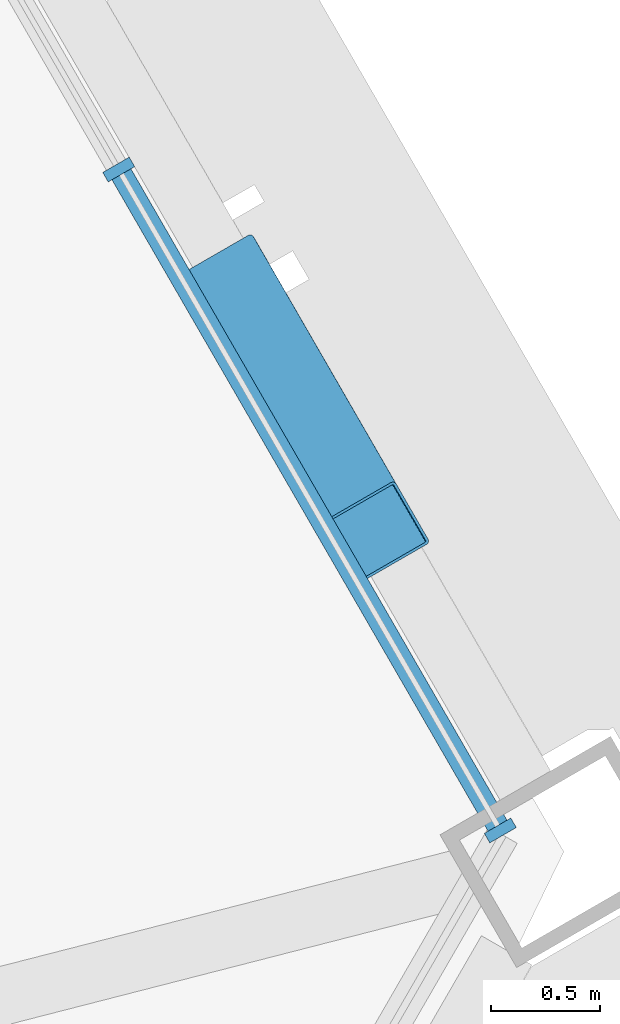
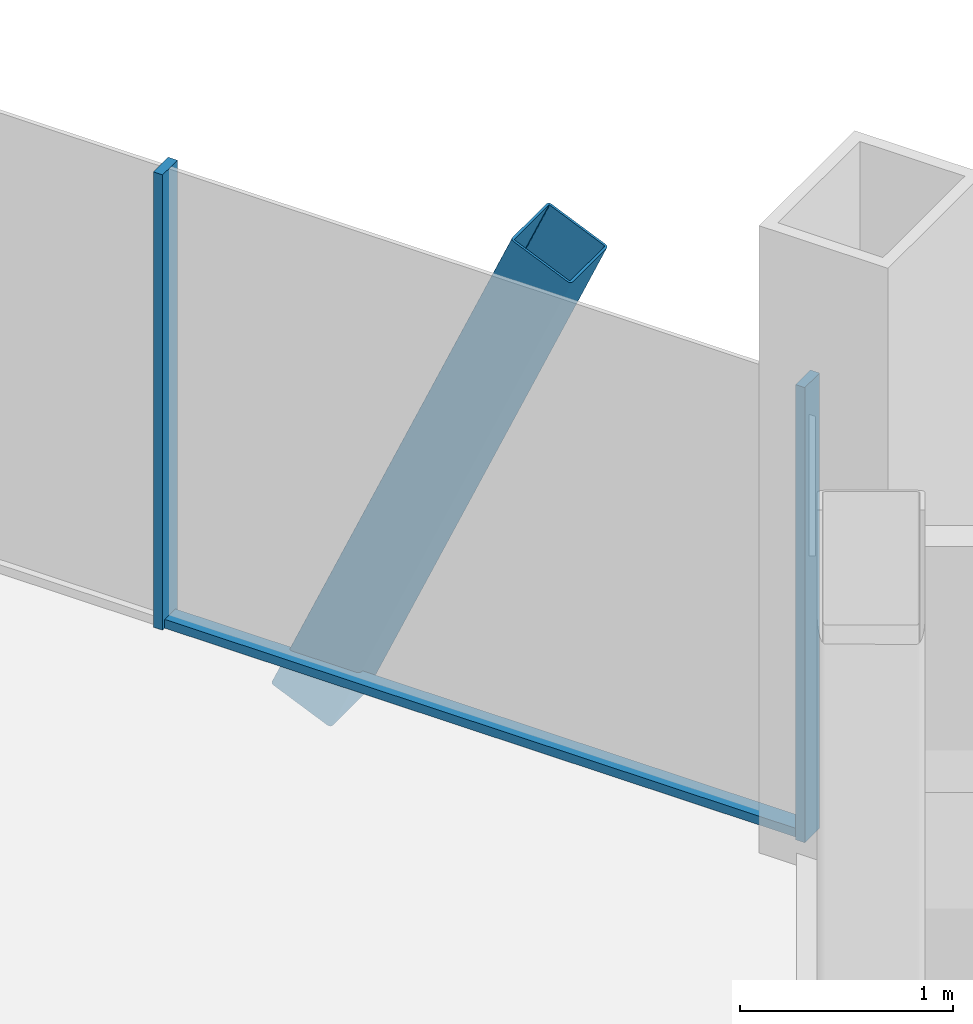
# One storey, part 8 of 18: 4 members, 1 element without a shape of its own.
"""IFC4 building model written with IfcOpenShell, lengths in metres."""

import ifcopenshell
import ifcopenshell.guid

model = None  # the IFC model being written
_history = None  # IfcOwnerHistory: only IFC2X3 demands one
_inside = {}  # id of a spatial element -> (the spatial element, [elements in it])
_under = {}  # id of a project, library or spatial element -> (it, [spatial elements below it])
_declared = {}  # id of a project -> (the project, [libraries it declares])
_typed = {}  # id of a type object -> (the type object, [elements of that type])
_made_of = {}  # id of a material, layer set ... -> (it, [elements and type objects made of it])


def new_model(schema):
    """Start an empty IFC model of exactly this schema.

    Asked for "IFC4X3", IfcOpenShell would pick the latest addendum, in which some entities
    have other attributes; the version numbers below select the first issue.
    IFC2X3 requires an IfcOwnerHistory on every rooted entity: one is made here for all.
    """
    global model, _history
    if schema == "IFC4X3":
        model = ifcopenshell.file(schema_version=(4, 3, 0, 0))
    else:
        model = ifcopenshell.file(schema=schema)
    _inside.clear()
    _under.clear()
    _declared.clear()
    _typed.clear()
    _made_of.clear()
    _history = None
    if model.schema == "IFC2X3":
        org = make("IfcOrganization", Name="unknown")
        user = make(
            "IfcPersonAndOrganization",
            ThePerson=make("IfcPerson", FamilyName="unknown"),
            TheOrganization=org,
        )
        app = make(
            "IfcApplication",
            ApplicationDeveloper=org,
            Version="unknown",
            ApplicationFullName="unknown",
            ApplicationIdentifier="unknown",
        )
        _history = make(
            "IfcOwnerHistory",
            OwningUser=user,
            OwningApplication=app,
            ChangeAction="ADDED",
            CreationDate=0,
        )
    return model


def make(cls, **values):
    """One entity of the class cls with the attributes given. An attribute that is None is left unset."""
    return model.create_entity(
        cls, **{name: value for name, value in values.items() if value is not None}
    )


def rooted(cls, **values):
    """An entity with a GlobalId (a new one), such as an element, a storey or a relation."""
    return make(cls, GlobalId=ifcopenshell.guid.new(), OwnerHistory=_history, **values)


def si_unit(unit_type, name, prefix=None):
    """IfcSIUnit, for example si_unit("LENGTHUNIT", "METRE", prefix="MILLI")."""
    return make("IfcSIUnit", UnitType=unit_type, Prefix=prefix, Name=name)


def assignment(units):
    """IfcUnitAssignment: the units of a project."""
    return None if units is None else make("IfcUnitAssignment", Units=units)


def point(xyz):
    """IfcCartesianPoint."""
    return None if xyz is None else make("IfcCartesianPoint", Coordinates=xyz)


def direction(xyz):
    """IfcDirection."""
    return None if xyz is None else make("IfcDirection", DirectionRatios=xyz)


def frame(location, z_axis=None, x_axis=None):
    """IfcAxis2Placement3D, a coordinate frame: its origin and axes. An axis left out is left unset."""
    return make(
        "IfcAxis2Placement3D",
        Location=point(location),
        Axis=direction(z_axis),
        RefDirection=direction(x_axis),
    )


def frame_2d(location, x_axis=None):
    """IfcAxis2Placement2D, a coordinate frame in the plane: its origin and x axis."""
    return make(
        "IfcAxis2Placement2D", Location=point(location), RefDirection=direction(x_axis)
    )


def origin():
    """The frame at (0, 0, 0) with its axes left unset."""
    return frame((0.0, 0.0, 0.0))


def origin_2d():
    """The frame at (0, 0) in the plane with its x axis left unset."""
    return frame_2d((0.0, 0.0))


def place(relative_to, where):
    """IfcLocalPlacement: puts the frame where relative to a parent placement (None: the world)."""
    return make(
        "IfcLocalPlacement", PlacementRelTo=relative_to, RelativePlacement=where
    )


def context(
    kind, dimensions, precision=None, world=None, true_north=None, identifier=None
):
    """IfcGeometricRepresentationContext, for example the 3D "Model" context."""
    return make(
        "IfcGeometricRepresentationContext",
        ContextIdentifier=identifier,
        ContextType=kind,
        CoordinateSpaceDimension=dimensions,
        Precision=precision,
        WorldCoordinateSystem=world,
        TrueNorth=true_north,
    )


def subcontext(parent, identifier, kind, view, scale=None):
    """IfcGeometricRepresentationSubContext, for example "Body" below "Model"."""
    return make(
        "IfcGeometricRepresentationSubContext",
        ContextIdentifier=identifier,
        ContextType=kind,
        ParentContext=parent,
        TargetScale=scale,
        TargetView=view,
    )


def project(units=None, contexts=None):
    """IfcProject with its units and contexts."""
    return rooted(
        "IfcProject",
        Name="project",
        RepresentationContexts=contexts,
        UnitsInContext=assignment(units),
    )


def spatial(cls, under=None, at=None, **own):
    """A site, building, storey or space (cls), placed at a placement, below another one or the project."""
    s = rooted(cls, ObjectPlacement=at, **own)
    if under is not None:
        _under.setdefault(under.id(), (under, []))[1].append(s)
    return s


def profile(cls, at=None, kind="AREA", **sizes):
    """A parametric profile (cls). Its sizes go by their IFC names, for example OverallWidth=200.0."""
    return make(cls, ProfileType=kind, Position=at, **sizes)


def rectangle(**sizes):
    """IfcRectangleProfileDef."""
    return profile("IfcRectangleProfileDef", **sizes)


def hollow_rectangle(**sizes):
    """IfcRectangleHollowProfileDef."""
    return profile("IfcRectangleHollowProfileDef", **sizes)


def extrude(swept, where, along, depth):
    """IfcExtrudedAreaSolid: the profile swept, set in the frame where, extruded along a direction by depth."""
    return make(
        "IfcExtrudedAreaSolid",
        SweptArea=swept,
        Position=where,
        ExtrudedDirection=direction(along),
        Depth=depth,
    )


def shape(context_of_items, identifier, shape_type, items):
    """IfcShapeRepresentation: the items that make up one representation, for example the "Body"."""
    return make(
        "IfcShapeRepresentation",
        ContextOfItems=context_of_items,
        RepresentationIdentifier=identifier,
        RepresentationType=shape_type,
        Items=items,
    )


def material(Name=None, Category=None):
    """IfcMaterial."""
    return make("IfcMaterial", Name=Name, Category=Category)


def material_profile(
    of_material, cross_section, Name=None, Category=None, Priority=None
):
    """IfcMaterialProfile: a cross section and its material."""
    return make(
        "IfcMaterialProfile",
        Name=Name,
        Material=of_material,
        Profile=cross_section,
        Priority=Priority,
        Category=Category,
    )


def profile_set(profiles, Name=None, composite=None):
    """IfcMaterialProfileSet."""
    return make(
        "IfcMaterialProfileSet",
        Name=Name,
        MaterialProfiles=profiles,
        CompositeProfile=composite,
    )


def made_of(thing, what):
    """Note that an element or type object is made of a material, layer set ...; save() writes the relation."""
    if what is not None:
        _made_of.setdefault(what.id(), (what, []))[1].append(thing)
    return thing


def type_object(cls, material=None, **own):
    """A type object (cls), such as IfcWallType, which elements share."""
    return made_of(rooted(cls, **own), material)


def element(
    cls,
    number,
    at=None,
    inside=None,
    cuts=None,
    type_object=None,
    material=None,
    context=None,
    identifier="Body",
    shape_type=None,
    held_by="IfcProductDefinitionShape",
    body=None,
    shapes=None,
    **own,
):
    """One element of the class cls, such as IfcWall. Its Tag is "e" and its number.

    at: its placement. inside: the storey or other place that contains it. cuts: it is an
    opening in that element (IfcRelVoidsElement). A single representation is given by context,
    identifier, shape_type and body (its items); several are given by shapes. held_by: the class
    of the entity that holds the representations. save() writes the other relations.
    """
    e = rooted(cls, Tag="e%d" % number, ObjectPlacement=at, **own)
    if body is not None:
        shapes = [shape(context, identifier, shape_type, body)]
    if shapes is not None:
        e.Representation = make(held_by, Representations=shapes)
    if inside is not None:
        _inside.setdefault(inside.id(), (inside, []))[1].append(e)
    if cuts is not None:
        rooted(
            "IfcRelVoidsElement", RelatingBuildingElement=cuts, RelatedOpeningElement=e
        )
    if type_object is not None:
        _typed.setdefault(type_object.id(), (type_object, []))[1].append(e)
    return made_of(e, material)


def aggregate(whole, parts):
    """IfcRelAggregates: a whole, such as a stair, and the parts it consists of."""
    return rooted("IfcRelAggregates", RelatingObject=whole, RelatedObjects=parts)


def save(model, path):
    """Write the relations noted so far, then the file.

    IfcRelAggregates (storeys below a building ...), IfcRelContainedInSpatialStructure (elements
    in a storey), IfcRelDefinesByType, IfcRelAssociatesMaterial and IfcRelDeclares: one each for
    every whole, place, type object, material and project.
    """
    for whole, parts in _under.values():
        aggregate(whole, parts)
    for where, things in _inside.values():
        rooted(
            "IfcRelContainedInSpatialStructure",
            RelatedElements=things,
            RelatingStructure=where,
        )
    for kind, things in _typed.values():
        rooted("IfcRelDefinesByType", RelatedObjects=things, RelatingType=kind)
    for what, things in _made_of.values():
        rooted("IfcRelAssociatesMaterial", RelatedObjects=things, RelatingMaterial=what)
    for by, libraries in _declared.values():
        rooted("IfcRelDeclares", RelatingContext=by, RelatedDefinitions=libraries)
    model.write(path)


model = new_model("IFC4")

# Units and contexts
model_context = context("Model", 3, precision=1e-05, world=origin(), true_north=direction((0.0, 1.0)))
body_context = subcontext(model_context, "Body", "Model", "MODEL_VIEW")
ifc_project = project(units=[si_unit("LENGTHUNIT", "METRE"), si_unit("AREAUNIT", "SQUARE_METRE"), si_unit("VOLUMEUNIT", "CUBIC_METRE"), si_unit("PLANEANGLEUNIT", "RADIAN"), si_unit("MASSUNIT", "GRAM", prefix="KILO")], contexts=[model_context])

# Site, building, storey
site_placement = place(None, origin())
site = spatial("IfcSite", under=ifc_project, at=site_placement, CompositionType="ELEMENT")
building_placement = place(site_placement, origin())
building = spatial("IfcBuilding", under=site, at=building_placement, Name="Verrane Prism Tower", CompositionType="ELEMENT")
storey_placement = place(building_placement, frame((0.0, 0.0, 54.800048828125)))
storey = spatial("IfcBuildingStorey", under=building, at=storey_placement, Name="L11", CompositionType="ELEMENT", Elevation=54.800048828125)

# Member
ifc_material_1 = material(Name="Steel A500 Grade C", Category="steel")
ifc_material_profile_1 = material_profile(ifc_material_1, hollow_rectangle(XDim=0.355712890625, YDim=0.355712890625, WallThickness=0.0126953125, InnerFilletRadius=0.00634765625, OuterFilletRadius=0.01904296875, at=origin_2d()), Name="HSS14x14x1/2")
ifc_profile_set_1 = profile_set([ifc_material_profile_1], Name="Steel A500 Grade C")
member_type_1 = type_object("IfcMemberType", Name="Chamfer brace HSS14x14x1/2", PredefinedType="BRACE", material=ifc_profile_set_1)
member_1_placement = place(storey_placement, frame((29.52197265625, 14.186279296875, -0.2451171875), z_axis=(0.199091567031, -0.34501748339, 0.917237964812), x_axis=(0.866138836121, 0.499803477943, 0.0)))
element("IfcMember", 1, at=member_1_placement, inside=storey, type_object=member_type_1, Name="Chamfer brace NE0 L11", PredefinedType="BRACE", context=body_context, shape_type="SweptSolid", body=[
    extrude(hollow_rectangle(XDim=0.355712890625, YDim=0.355712890625, WallThickness=0.0126953125, InnerFilletRadius=0.00634765625, OuterFilletRadius=0.01904296875, at=origin_2d()), origin(), (0.0, 0.0, 1.0), 3.274169921875),
])

# Curtain wall, members
ifc_material_2 = material(Name="Aluminium framed insulated glazing", Category="aluminium")
curtain_wall_type = type_object("IfcCurtainWallType", Name="Curtain wall CW-C 4200 module", PredefinedType="NOTDEFINED", material=ifc_material_2)
curtain_wall_placement = place(storey_placement, origin())
curtain_wall = element("IfcCurtainWall", 2, at=curtain_wall_placement, inside=storey, type_object=curtain_wall_type, Name="Glazed curtain wall north-east corner L11", PredefinedType="NOTDEFINED")
ifc_material_3 = material(Name="Aluminium alloy 6063-T6", Category="aluminium")
ifc_material_profile_2 = material_profile(ifc_material_3, rectangle(XDim=0.139892578125, YDim=0.050048828125, at=origin_2d()), Name="Mullion 50x140 aluminium")
ifc_profile_set_2 = profile_set([ifc_material_profile_2], Name="Aluminium alloy 6063-T6")
member_type_2 = type_object("IfcMemberType", Name="Mullion 50x140 aluminium", PredefinedType="MULLION", material=ifc_profile_set_2)
member_2_placement = place(storey_placement, frame((30.730712890625, 11.688232421875, 0.0), z_axis=(0.0, 0.0, 1.0), x_axis=(-0.866026104978, -0.499998785495, 0.0)))
member_2 = element("IfcMember", 3, at=member_2_placement, type_object=member_type_2, Name="CW09.1 mullion 1", PredefinedType="MULLION", context=body_context, shape_type="SweptSolid", body=[
    extrude(rectangle(XDim=0.139892578125, YDim=0.050048828125, at=origin_2d()), origin(), (0.0, 0.0, 1.0), 2.61279296875),
])
member_3_placement = place(storey_placement, frame((28.987060546875, 14.708251953125, 0.0), z_axis=(0.0, 0.0, 1.0), x_axis=(-0.866026104978, -0.499998785495, 0.0)))
member_3 = element("IfcMember", 4, at=member_3_placement, type_object=member_type_2, Name="CW09.1 mullion 2", PredefinedType="MULLION", context=body_context, shape_type="SweptSolid", body=[
    extrude(rectangle(XDim=0.139892578125, YDim=0.050048828125, at=origin_2d()), origin(), (0.0, 0.0, 1.0), 2.61279296875),
])
ifc_material_4 = material(Name="Aluminium alloy 6063-T6", Category="aluminium")
ifc_material_profile_3 = material_profile(ifc_material_4, rectangle(XDim=0.10009765625, YDim=0.050048828125, at=origin_2d()), Name="Transom 50x100 aluminium")
ifc_profile_set_3 = profile_set([ifc_material_profile_3], Name="Aluminium alloy 6063-T6")
member_type_3 = type_object("IfcMemberType", Name="Transom 50x100 aluminium", PredefinedType="USERDEFINED", material=ifc_profile_set_3)
member_4_placement = place(storey_placement, frame((30.718017578125, 11.7099609375, 0.02490234375), z_axis=(-0.499997097509, 0.866027079532, 0.0), x_axis=(-0.866027079532, -0.499997097509, 0.0)))
member_4 = element("IfcMember", 5, at=member_4_placement, type_object=member_type_3, Name="CW09.1 transom 1", ObjectType="TRANSOM", PredefinedType="USERDEFINED", context=body_context, shape_type="SweptSolid", body=[
    extrude(rectangle(XDim=0.10009765625, YDim=0.050048828125, at=origin_2d()), origin(), (0.0, 0.0, 1.0), 3.43701171875),
])
aggregate(curtain_wall, [member_2, member_3, member_4])

save(model, "model.ifc")
